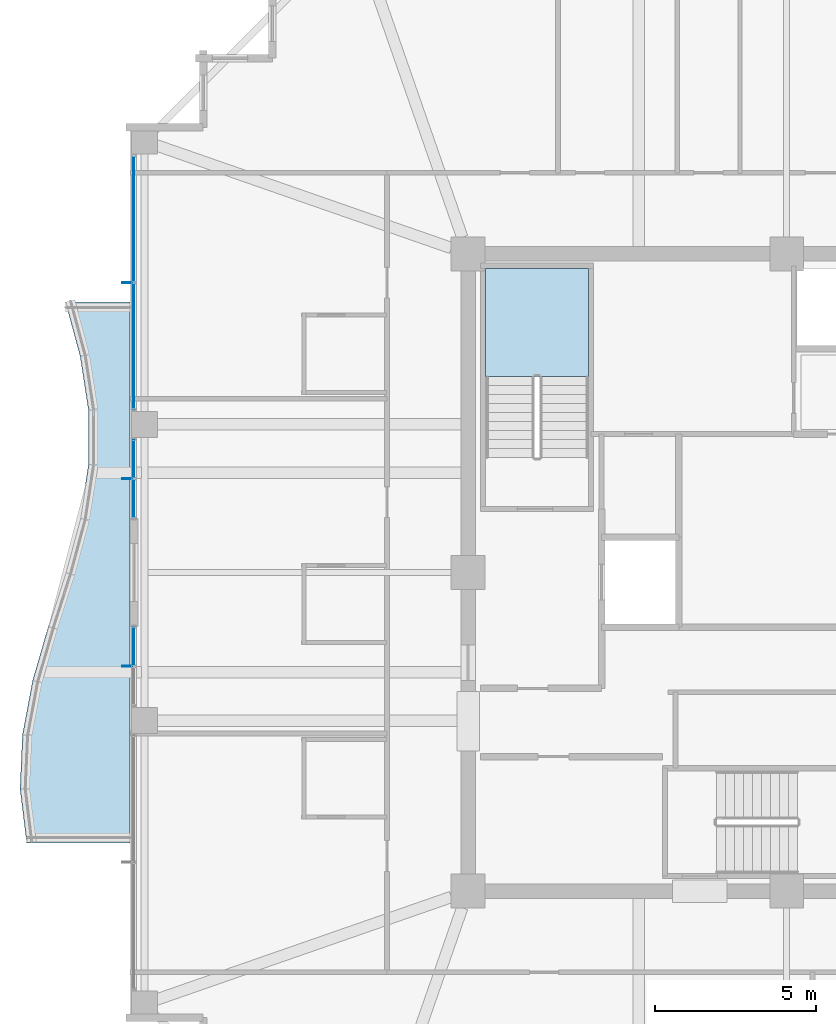
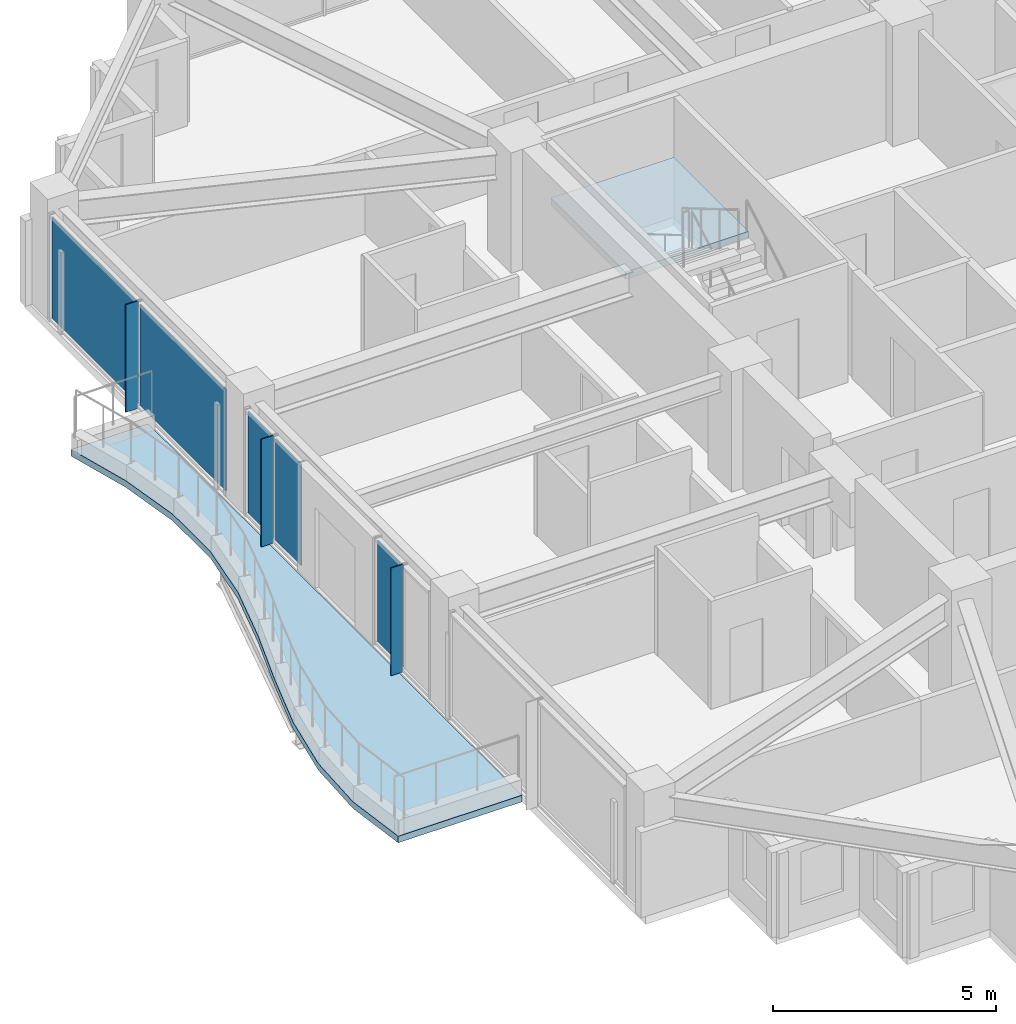
# One storey, part 23 of 34: 8 plates, 2 slabs, 4 elements without a shape of their own.
"""IFC4 building model written with IfcOpenShell, lengths in metres."""

import ifcopenshell
import ifcopenshell.guid

model = None  # the IFC model being written
_history = None  # IfcOwnerHistory: only IFC2X3 demands one
_inside = {}  # id of a spatial element -> (the spatial element, [elements in it])
_under = {}  # id of a project, library or spatial element -> (it, [spatial elements below it])
_declared = {}  # id of a project -> (the project, [libraries it declares])
_typed = {}  # id of a type object -> (the type object, [elements of that type])
_made_of = {}  # id of a material, layer set ... -> (it, [elements and type objects made of it])


def new_model(schema):
    """Start an empty IFC model of exactly this schema.

    Asked for "IFC4X3", IfcOpenShell would pick the latest addendum, in which some entities
    have other attributes; the version numbers below select the first issue.
    IFC2X3 requires an IfcOwnerHistory on every rooted entity: one is made here for all.
    """
    global model, _history
    if schema == "IFC4X3":
        model = ifcopenshell.file(schema_version=(4, 3, 0, 0))
    else:
        model = ifcopenshell.file(schema=schema)
    _inside.clear()
    _under.clear()
    _declared.clear()
    _typed.clear()
    _made_of.clear()
    _history = None
    if model.schema == "IFC2X3":
        org = make("IfcOrganization", Name="unknown")
        user = make(
            "IfcPersonAndOrganization",
            ThePerson=make("IfcPerson", FamilyName="unknown"),
            TheOrganization=org,
        )
        app = make(
            "IfcApplication",
            ApplicationDeveloper=org,
            Version="unknown",
            ApplicationFullName="unknown",
            ApplicationIdentifier="unknown",
        )
        _history = make(
            "IfcOwnerHistory",
            OwningUser=user,
            OwningApplication=app,
            ChangeAction="ADDED",
            CreationDate=0,
        )
    return model


def make(cls, **values):
    """One entity of the class cls with the attributes given. An attribute that is None is left unset."""
    return model.create_entity(
        cls, **{name: value for name, value in values.items() if value is not None}
    )


def rooted(cls, **values):
    """An entity with a GlobalId (a new one), such as an element, a storey or a relation."""
    return make(cls, GlobalId=ifcopenshell.guid.new(), OwnerHistory=_history, **values)


def si_unit(unit_type, name, prefix=None):
    """IfcSIUnit, for example si_unit("LENGTHUNIT", "METRE", prefix="MILLI")."""
    return make("IfcSIUnit", UnitType=unit_type, Prefix=prefix, Name=name)


def assignment(units):
    """IfcUnitAssignment: the units of a project."""
    return None if units is None else make("IfcUnitAssignment", Units=units)


def point(xyz):
    """IfcCartesianPoint."""
    return None if xyz is None else make("IfcCartesianPoint", Coordinates=xyz)


def direction(xyz):
    """IfcDirection."""
    return None if xyz is None else make("IfcDirection", DirectionRatios=xyz)


def frame(location, z_axis=None, x_axis=None):
    """IfcAxis2Placement3D, a coordinate frame: its origin and axes. An axis left out is left unset."""
    return make(
        "IfcAxis2Placement3D",
        Location=point(location),
        Axis=direction(z_axis),
        RefDirection=direction(x_axis),
    )


def frame_2d(location, x_axis=None):
    """IfcAxis2Placement2D, a coordinate frame in the plane: its origin and x axis."""
    return make(
        "IfcAxis2Placement2D", Location=point(location), RefDirection=direction(x_axis)
    )


def origin():
    """The frame at (0, 0, 0) with its axes left unset."""
    return frame((0.0, 0.0, 0.0))


def origin_2d():
    """The frame at (0, 0) in the plane with its x axis left unset."""
    return frame_2d((0.0, 0.0))


def place(relative_to, where):
    """IfcLocalPlacement: puts the frame where relative to a parent placement (None: the world)."""
    return make(
        "IfcLocalPlacement", PlacementRelTo=relative_to, RelativePlacement=where
    )


def context(
    kind, dimensions, precision=None, world=None, true_north=None, identifier=None
):
    """IfcGeometricRepresentationContext, for example the 3D "Model" context."""
    return make(
        "IfcGeometricRepresentationContext",
        ContextIdentifier=identifier,
        ContextType=kind,
        CoordinateSpaceDimension=dimensions,
        Precision=precision,
        WorldCoordinateSystem=world,
        TrueNorth=true_north,
    )


def subcontext(parent, identifier, kind, view, scale=None):
    """IfcGeometricRepresentationSubContext, for example "Body" below "Model"."""
    return make(
        "IfcGeometricRepresentationSubContext",
        ContextIdentifier=identifier,
        ContextType=kind,
        ParentContext=parent,
        TargetScale=scale,
        TargetView=view,
    )


def project(units=None, contexts=None):
    """IfcProject with its units and contexts."""
    return rooted(
        "IfcProject",
        Name="project",
        RepresentationContexts=contexts,
        UnitsInContext=assignment(units),
    )


def spatial(cls, under=None, at=None, **own):
    """A site, building, storey or space (cls), placed at a placement, below another one or the project."""
    s = rooted(cls, ObjectPlacement=at, **own)
    if under is not None:
        _under.setdefault(under.id(), (under, []))[1].append(s)
    return s


def polyline(points):
    """IfcPolyline through the points."""
    return make("IfcPolyline", Points=[point(p) for p in points])


def profile(cls, at=None, kind="AREA", **sizes):
    """A parametric profile (cls). Its sizes go by their IFC names, for example OverallWidth=200.0."""
    return make(cls, ProfileType=kind, Position=at, **sizes)


def rectangle(**sizes):
    """IfcRectangleProfileDef."""
    return profile("IfcRectangleProfileDef", **sizes)


def outline(outer, holes=None, kind="AREA"):
    """IfcArbitraryClosedProfileDef: a profile drawn as a closed curve; with holes, ...WithVoids."""
    if holes is None:
        return make("IfcArbitraryClosedProfileDef", ProfileType=kind, OuterCurve=outer)
    return make(
        "IfcArbitraryProfileDefWithVoids",
        ProfileType=kind,
        OuterCurve=outer,
        InnerCurves=holes,
    )


def extrude(swept, where, along, depth):
    """IfcExtrudedAreaSolid: the profile swept, set in the frame where, extruded along a direction by depth."""
    return make(
        "IfcExtrudedAreaSolid",
        SweptArea=swept,
        Position=where,
        ExtrudedDirection=direction(along),
        Depth=depth,
    )


def shape(context_of_items, identifier, shape_type, items):
    """IfcShapeRepresentation: the items that make up one representation, for example the "Body"."""
    return make(
        "IfcShapeRepresentation",
        ContextOfItems=context_of_items,
        RepresentationIdentifier=identifier,
        RepresentationType=shape_type,
        Items=items,
    )


def material(Name=None, Category=None):
    """IfcMaterial."""
    return make("IfcMaterial", Name=Name, Category=Category)


def layer(
    of_material, thickness, ventilated=None, Name=None, Category=None, Priority=None
):
    """IfcMaterialLayer: one layer of a wall or slab, of a material (None: an air gap)."""
    return make(
        "IfcMaterialLayer",
        Material=of_material,
        LayerThickness=thickness,
        IsVentilated=ventilated,
        Name=Name,
        Category=Category,
        Priority=Priority,
    )


def layer_set(layers, Name=None):
    """IfcMaterialLayerSet."""
    return make("IfcMaterialLayerSet", MaterialLayers=layers, LayerSetName=Name)


def made_of(thing, what):
    """Note that an element or type object is made of a material, layer set ...; save() writes the relation."""
    if what is not None:
        _made_of.setdefault(what.id(), (what, []))[1].append(thing)
    return thing


def type_object(cls, material=None, **own):
    """A type object (cls), such as IfcWallType, which elements share."""
    return made_of(rooted(cls, **own), material)


def element(
    cls,
    number,
    at=None,
    inside=None,
    cuts=None,
    type_object=None,
    material=None,
    context=None,
    identifier="Body",
    shape_type=None,
    held_by="IfcProductDefinitionShape",
    body=None,
    shapes=None,
    **own,
):
    """One element of the class cls, such as IfcWall. Its Tag is "e" and its number.

    at: its placement. inside: the storey or other place that contains it. cuts: it is an
    opening in that element (IfcRelVoidsElement). A single representation is given by context,
    identifier, shape_type and body (its items); several are given by shapes. held_by: the class
    of the entity that holds the representations. save() writes the other relations.
    """
    e = rooted(cls, Tag="e%d" % number, ObjectPlacement=at, **own)
    if body is not None:
        shapes = [shape(context, identifier, shape_type, body)]
    if shapes is not None:
        e.Representation = make(held_by, Representations=shapes)
    if inside is not None:
        _inside.setdefault(inside.id(), (inside, []))[1].append(e)
    if cuts is not None:
        rooted(
            "IfcRelVoidsElement", RelatingBuildingElement=cuts, RelatedOpeningElement=e
        )
    if type_object is not None:
        _typed.setdefault(type_object.id(), (type_object, []))[1].append(e)
    return made_of(e, material)


def aggregate(whole, parts):
    """IfcRelAggregates: a whole, such as a stair, and the parts it consists of."""
    return rooted("IfcRelAggregates", RelatingObject=whole, RelatedObjects=parts)


def save(model, path):
    """Write the relations noted so far, then the file.

    IfcRelAggregates (storeys below a building ...), IfcRelContainedInSpatialStructure (elements
    in a storey), IfcRelDefinesByType, IfcRelAssociatesMaterial and IfcRelDeclares: one each for
    every whole, place, type object, material and project.
    """
    for whole, parts in _under.values():
        aggregate(whole, parts)
    for where, things in _inside.values():
        rooted(
            "IfcRelContainedInSpatialStructure",
            RelatedElements=things,
            RelatingStructure=where,
        )
    for kind, things in _typed.values():
        rooted("IfcRelDefinesByType", RelatedObjects=things, RelatingType=kind)
    for what, things in _made_of.values():
        rooted("IfcRelAssociatesMaterial", RelatedObjects=things, RelatingMaterial=what)
    for by, libraries in _declared.values():
        rooted("IfcRelDeclares", RelatingContext=by, RelatedDefinitions=libraries)
    model.write(path)


model = new_model("IFC4")

# Units and contexts
model_context = context("Model", 3, precision=1e-05, world=origin(), true_north=direction((0.0, 1.0)))
body_context = subcontext(model_context, "Body", "Model", "MODEL_VIEW")
ifc_project = project(units=[si_unit("LENGTHUNIT", "METRE"), si_unit("AREAUNIT", "SQUARE_METRE"), si_unit("VOLUMEUNIT", "CUBIC_METRE"), si_unit("PLANEANGLEUNIT", "RADIAN"), si_unit("MASSUNIT", "GRAM", prefix="KILO")], contexts=[model_context])

# Site, building, storey
site_placement = place(None, origin())
site = spatial("IfcSite", under=ifc_project, at=site_placement, CompositionType="ELEMENT")
building_placement = place(site_placement, origin())
building = spatial("IfcBuilding", under=site, at=building_placement, Name="Kolvaren Belvedere", CompositionType="ELEMENT")
storey_placement = place(building_placement, frame((0.0, 0.0, 229.5)))
storey = spatial("IfcBuildingStorey", under=building, at=storey_placement, Name="L67", CompositionType="ELEMENT", Elevation=229.5)

# Curtain wall, plate
ifc_material_1 = material(Name="Anodised pale-metal aluminium AA 6063-T6", Category="aluminium")
curtain_wall_type = type_object("IfcCurtainWallType", Name="CW-Z5-HIGH", PredefinedType="NOTDEFINED", material=ifc_material_1)
curtain_wall_1_placement = place(storey_placement, origin())
curtain_wall_1 = element("IfcCurtainWall", 1, at=curtain_wall_1_placement, inside=storey, type_object=curtain_wall_type, Name="L67 Unitised Curtain Wall FCW-L67-W1-B2", PredefinedType="NOTDEFINED")
ifc_material_2 = material(Name="Low-iron triple insulated glass", Category="glass")
ifc_layer_1 = layer(ifc_material_2, 0.028076171875)
ifc_layer_set_1 = layer_set([ifc_layer_1], Name="Low-iron triple insulated glass")
plate_type_1 = type_object("IfcPlateType", Name="CW-PNL-VIS28", PredefinedType="CURTAIN_PANEL", material=ifc_layer_set_1)
plate_1_placement = place(storey_placement, frame((-20.280029296875, -2.296142578125, 0.080078125), z_axis=(0.0, 0.0, 1.0), x_axis=(0.0, 1.0, 0.0)))
plate_1 = element("IfcPlate", 2, at=plate_1_placement, type_object=plate_type_1, Name="FCW-L67-W1-B2 Vision Glazing Panel 2", PredefinedType="CURTAIN_PANEL", context=body_context, shape_type="SweptSolid", body=[
    extrude(rectangle(XDim=1.152587890625, YDim=0.028076171875, at=origin_2d()), origin(), (0.0, 0.0, 1.0), 2.7900390625),
])
aggregate(curtain_wall_1, [plate_1])

# Curtain wall, plates
curtain_wall_2_placement = place(storey_placement, origin())
curtain_wall_2 = element("IfcCurtainWall", 3, at=curtain_wall_2_placement, inside=storey, type_object=curtain_wall_type, Name="L67 Unitised Curtain Wall FCW-L67-W2-B1", PredefinedType="NOTDEFINED")
plate_2_placement = place(storey_placement, frame((-20.280029296875, 2.296142578125, 0.080078125), z_axis=(0.0, 0.0, 1.0), x_axis=(0.0, 1.0, 0.0)))
plate_2 = element("IfcPlate", 4, at=plate_2_placement, type_object=plate_type_1, Name="FCW-L67-W2-B1 Vision Glazing Panel 1", PredefinedType="CURTAIN_PANEL", context=body_context, shape_type="SweptSolid", body=[
    extrude(rectangle(XDim=1.152587890625, YDim=0.028076171875, at=origin_2d()), origin(), (0.0, 0.0, 1.0), 2.7900390625),
])
plate_3_placement = place(storey_placement, frame((-20.280029296875, 3.52880859375, 0.080078125), z_axis=(0.0, 0.0, 1.0), x_axis=(0.0, 1.0, 0.0)))
plate_3 = element("IfcPlate", 5, at=plate_3_placement, type_object=plate_type_1, Name="FCW-L67-W2-B1 Vision Glazing Panel 2", PredefinedType="CURTAIN_PANEL", context=body_context, shape_type="SweptSolid", body=[
    extrude(rectangle(XDim=1.152587890625, YDim=0.028076171875, at=origin_2d()), origin(), (0.0, 0.0, 1.0), 2.7900390625),
])
aggregate(curtain_wall_2, [plate_2, plate_3])

curtain_wall_3_placement = place(storey_placement, origin())
curtain_wall_3 = element("IfcCurtainWall", 6, at=curtain_wall_3_placement, inside=storey, type_object=curtain_wall_type, Name="L67 Unitised Curtain Wall FCW-L67-W2-B2", PredefinedType="NOTDEFINED")
plate_4_placement = place(storey_placement, frame((-20.280029296875, 7.027587890625, 0.080078125), z_axis=(0.0, 0.0, 1.0), x_axis=(0.0, 1.0, 0.0)))
plate_4 = element("IfcPlate", 7, at=plate_4_placement, type_object=plate_type_1, Name="FCW-L67-W2-B2 Vision Glazing Panel 1", PredefinedType="CURTAIN_PANEL", context=body_context, shape_type="SweptSolid", body=[
    extrude(rectangle(XDim=3.864990234375, YDim=0.028076171875, at=origin_2d()), origin(), (0.0, 0.0, 1.0), 2.7900390625),
])
plate_5_placement = place(storey_placement, frame((-20.280029296875, 10.972412109375, 0.080078125), z_axis=(0.0, 0.0, 1.0), x_axis=(0.0, 1.0, 0.0)))
plate_5 = element("IfcPlate", 8, at=plate_5_placement, type_object=plate_type_1, Name="FCW-L67-W2-B2 Vision Glazing Panel 2", PredefinedType="CURTAIN_PANEL", context=body_context, shape_type="SweptSolid", body=[
    extrude(rectangle(XDim=3.864990234375, YDim=0.028076171875, at=origin_2d()), origin(), (0.0, 0.0, 1.0), 2.7900390625),
])
aggregate(curtain_wall_3, [plate_4, plate_5])

# Plates
ifc_material_3 = material(Name="Anodised pale-metal aluminium AA 6063-T6", Category="aluminium")
ifc_layer_2 = layer(ifc_material_3, 0.030029296875)
ifc_layer_set_2 = layer_set([ifc_layer_2], Name="Anodised pale-metal aluminium AA 6063-T6")
plate_type_2 = type_object("IfcPlateType", Name="FIN-VERT-300", PredefinedType="USERDEFINED", material=ifc_layer_set_2)
for number, where, z_axis, x_axis, name in (
    (9, (-20.489990234375, -2.91259765625, 0.0), (0.0, 0.0, 1.0), (1.0, 0.0, 0.0), "L67 Pale-Metal Vertical Shading Fin FCW-L67-W1-B2-1"),
    (10, (-20.489990234375, 2.91259765625, 0.0), (0.0, 0.0, 1.0), (1.0, 0.0, 0.0), "L67 Pale-Metal Vertical Shading Fin FCW-L67-W2-B1-1"),
    (11, (-20.489990234375, 9.0, 0.0), (0.0, 0.0, 1.0), (1.0, 0.0, 0.0), "L67 Pale-Metal Vertical Shading Fin FCW-L67-W2-B2-1"),
):
    element("IfcPlate", number, at=place(storey_placement, frame(where, z_axis=z_axis, x_axis=x_axis)), inside=storey, type_object=plate_type_2, Name=name, ObjectType="VERTICAL FIN", PredefinedType="USERDEFINED", context=body_context, shape_type="SweptSolid", body=[
        extrude(rectangle(XDim=0.300048828125, YDim=0.030029296875, at=origin_2d()), origin(), (0.0, 0.0, 1.0), 2.949951171875),
    ])

# Slab
ifc_material_4 = material(Name="Concrete C50/60", Category="concrete")
ifc_layer_3 = layer(ifc_material_4, 0.179931640625)
ifc_layer_set_3 = layer_set([ifc_layer_3], Name="Concrete C50/60")
slab_type_1 = type_object("IfcSlabType", Name="SL-BAL-180", PredefinedType="FLOOR", material=ifc_layer_set_3)
slab_1_placement = place(storey_placement, frame((0.0, 0.0, -0.219970703125)))
element("IfcSlab", 12, at=slab_1_placement, inside=storey, type_object=slab_type_1, Name="L67 Planted Balcony BAL-W", PredefinedType="FLOOR", context=body_context, shape_type="SweptSolid", body=[
    extrude(outline(polyline([(-22.40625, 8.39990234375), (-21.95263671875, 6.719970703125), (-21.69384765625, 5.0400390625), (-21.69384765625, 3.360107421875), (-21.95263671875, 1.679931640625), (-22.40625, 0.0), (-22.9423828125, -1.679931640625), (-23.428466796875, -3.360107421875), (-23.744140625, -5.0400390625), (-23.820068359375, -6.719970703125), (-23.61376953125, -8.39990234375), (-20.39990234375, -8.39990234375), (-20.39990234375, -6.719970703125), (-20.39990234375, -5.0400390625), (-20.39990234375, -3.360107421875), (-20.39990234375, -1.679931640625), (-20.39990234375, 0.0), (-20.39990234375, 1.679931640625), (-20.39990234375, 3.360107421875), (-20.39990234375, 5.0400390625), (-20.39990234375, 6.719970703125), (-20.39990234375, 8.39990234375), (-22.40625, 8.39990234375)])), origin(), (0.0, 0.0, 1.0), 0.179931640625),
])

# Stair, slab
ifc_material_5 = material(Name="Concrete C50/60", Category="concrete")
stair_type = type_object("IfcStairType", Name="ST-CORE-1520", PredefinedType="HALF_TURN_STAIR", material=ifc_material_5)
stair_placement = place(storey_placement, origin())
stair = element("IfcStair", 13, at=stair_placement, inside=storey, type_object=stair_type, Name="L67 Protected Exit Stair ST-1", PredefinedType="HALF_TURN_STAIR")
ifc_material_6 = material(Name="Concrete C50/60", Category="concrete")
ifc_layer_4 = layer(ifc_material_6, 0.260009765625)
ifc_layer_set_4 = layer_set([ifc_layer_4], Name="Concrete C50/60")
slab_type_2 = type_object("IfcSlabType", Name="SL-LAND-260", PredefinedType="LANDING", material=ifc_layer_set_4)
slab_2_placement = place(storey_placement, frame((0.0, 0.0, 1.449951171875)))
slab_2 = element("IfcSlab", 14, at=slab_2_placement, type_object=slab_type_2, Name="ST-1 landing 1", PredefinedType="LANDING", context=body_context, shape_type="SweptSolid", body=[
    extrude(outline(polyline([(-6.159912109375, 6.090087890625), (-6.159912109375, 9.449951171875), (-9.35009765625, 9.449951171875), (-9.35009765625, 6.090087890625), (-6.159912109375, 6.090087890625)])), origin(), (0.0, 0.0, 1.0), 0.199951171875),
])
aggregate(stair, [slab_2])

save(model, "model.ifc")
